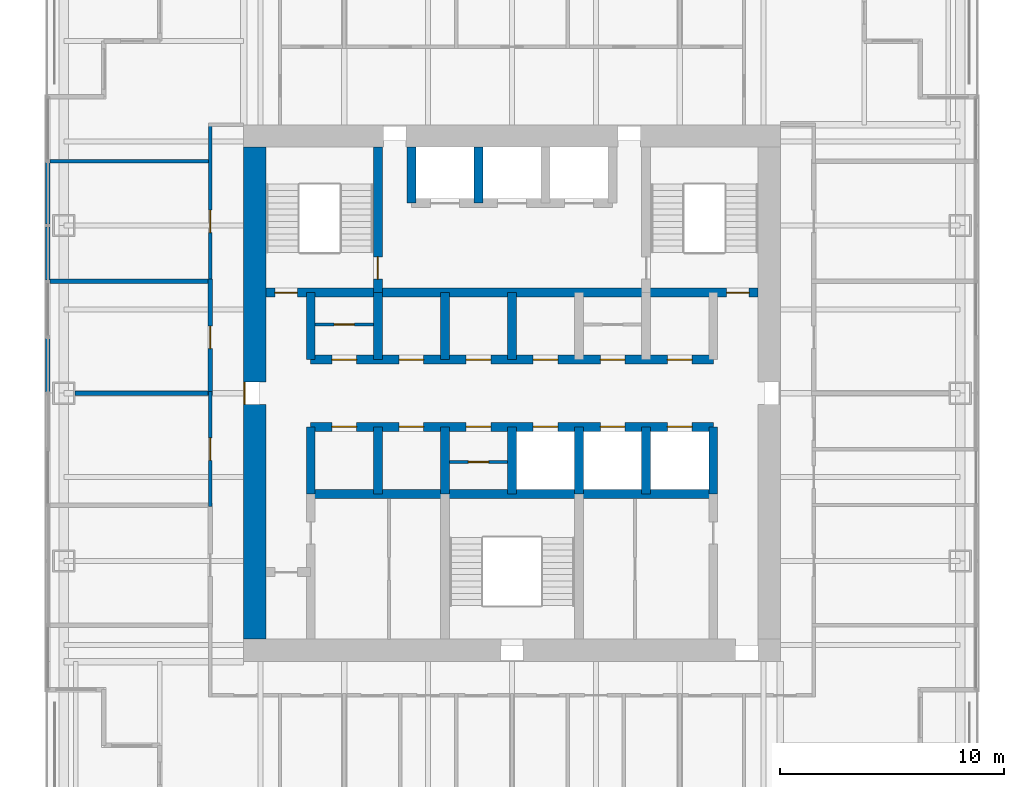
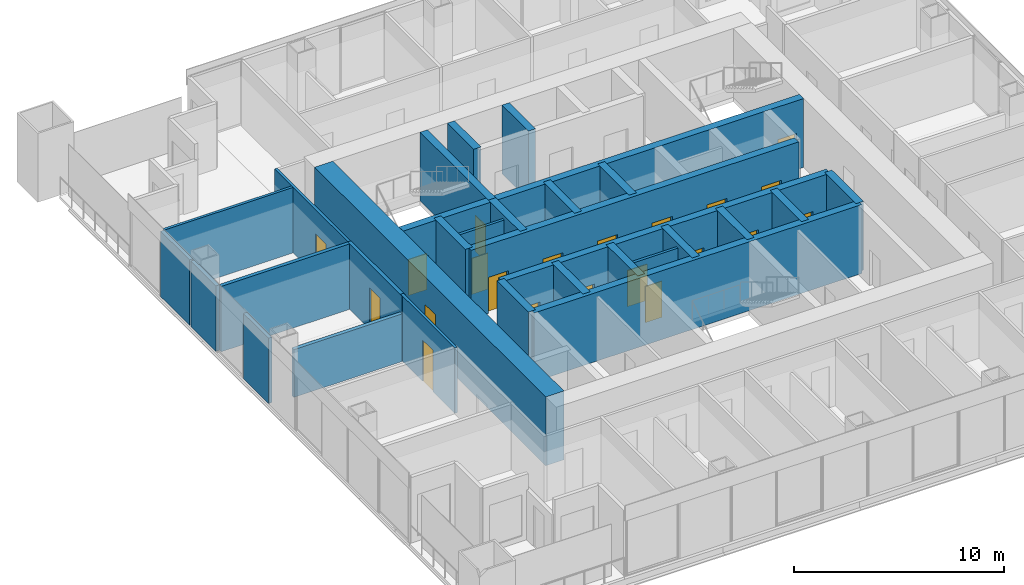
# One storey, part 10 of 15: 30 walls, 21 doors, 21 openings.
"""IFC4 building model written with IfcOpenShell, lengths in metres."""

import ifcopenshell
import ifcopenshell.guid

model = None  # the IFC model being written
_history = None  # IfcOwnerHistory: only IFC2X3 demands one
_inside = {}  # id of a spatial element -> (the spatial element, [elements in it])
_under = {}  # id of a project, library or spatial element -> (it, [spatial elements below it])
_declared = {}  # id of a project -> (the project, [libraries it declares])
_typed = {}  # id of a type object -> (the type object, [elements of that type])
_made_of = {}  # id of a material, layer set ... -> (it, [elements and type objects made of it])


def new_model(schema):
    """Start an empty IFC model of exactly this schema.

    Asked for "IFC4X3", IfcOpenShell would pick the latest addendum, in which some entities
    have other attributes; the version numbers below select the first issue.
    IFC2X3 requires an IfcOwnerHistory on every rooted entity: one is made here for all.
    """
    global model, _history
    if schema == "IFC4X3":
        model = ifcopenshell.file(schema_version=(4, 3, 0, 0))
    else:
        model = ifcopenshell.file(schema=schema)
    _inside.clear()
    _under.clear()
    _declared.clear()
    _typed.clear()
    _made_of.clear()
    _history = None
    if model.schema == "IFC2X3":
        org = make("IfcOrganization", Name="unknown")
        user = make(
            "IfcPersonAndOrganization",
            ThePerson=make("IfcPerson", FamilyName="unknown"),
            TheOrganization=org,
        )
        app = make(
            "IfcApplication",
            ApplicationDeveloper=org,
            Version="unknown",
            ApplicationFullName="unknown",
            ApplicationIdentifier="unknown",
        )
        _history = make(
            "IfcOwnerHistory",
            OwningUser=user,
            OwningApplication=app,
            ChangeAction="ADDED",
            CreationDate=0,
        )
    return model


def make(cls, **values):
    """One entity of the class cls with the attributes given. An attribute that is None is left unset."""
    return model.create_entity(
        cls, **{name: value for name, value in values.items() if value is not None}
    )


def rooted(cls, **values):
    """An entity with a GlobalId (a new one), such as an element, a storey or a relation."""
    return make(cls, GlobalId=ifcopenshell.guid.new(), OwnerHistory=_history, **values)


def si_unit(unit_type, name, prefix=None):
    """IfcSIUnit, for example si_unit("LENGTHUNIT", "METRE", prefix="MILLI")."""
    return make("IfcSIUnit", UnitType=unit_type, Prefix=prefix, Name=name)


def assignment(units):
    """IfcUnitAssignment: the units of a project."""
    return None if units is None else make("IfcUnitAssignment", Units=units)


def point(xyz):
    """IfcCartesianPoint."""
    return None if xyz is None else make("IfcCartesianPoint", Coordinates=xyz)


def direction(xyz):
    """IfcDirection."""
    return None if xyz is None else make("IfcDirection", DirectionRatios=xyz)


def frame(location, z_axis=None, x_axis=None):
    """IfcAxis2Placement3D, a coordinate frame: its origin and axes. An axis left out is left unset."""
    return make(
        "IfcAxis2Placement3D",
        Location=point(location),
        Axis=direction(z_axis),
        RefDirection=direction(x_axis),
    )


def frame_2d(location, x_axis=None):
    """IfcAxis2Placement2D, a coordinate frame in the plane: its origin and x axis."""
    return make(
        "IfcAxis2Placement2D", Location=point(location), RefDirection=direction(x_axis)
    )


def origin():
    """The frame at (0, 0, 0) with its axes left unset."""
    return frame((0.0, 0.0, 0.0))


def place(relative_to, where):
    """IfcLocalPlacement: puts the frame where relative to a parent placement (None: the world)."""
    return make(
        "IfcLocalPlacement", PlacementRelTo=relative_to, RelativePlacement=where
    )


def context(
    kind, dimensions, precision=None, world=None, true_north=None, identifier=None
):
    """IfcGeometricRepresentationContext, for example the 3D "Model" context."""
    return make(
        "IfcGeometricRepresentationContext",
        ContextIdentifier=identifier,
        ContextType=kind,
        CoordinateSpaceDimension=dimensions,
        Precision=precision,
        WorldCoordinateSystem=world,
        TrueNorth=true_north,
    )


def subcontext(parent, identifier, kind, view, scale=None):
    """IfcGeometricRepresentationSubContext, for example "Body" below "Model"."""
    return make(
        "IfcGeometricRepresentationSubContext",
        ContextIdentifier=identifier,
        ContextType=kind,
        ParentContext=parent,
        TargetScale=scale,
        TargetView=view,
    )


def project(units=None, contexts=None):
    """IfcProject with its units and contexts."""
    return rooted(
        "IfcProject",
        Name="project",
        RepresentationContexts=contexts,
        UnitsInContext=assignment(units),
    )


def spatial(cls, under=None, at=None, **own):
    """A site, building, storey or space (cls), placed at a placement, below another one or the project."""
    s = rooted(cls, ObjectPlacement=at, **own)
    if under is not None:
        _under.setdefault(under.id(), (under, []))[1].append(s)
    return s


def profile(cls, at=None, kind="AREA", **sizes):
    """A parametric profile (cls). Its sizes go by their IFC names, for example OverallWidth=200.0."""
    return make(cls, ProfileType=kind, Position=at, **sizes)


def rectangle(**sizes):
    """IfcRectangleProfileDef."""
    return profile("IfcRectangleProfileDef", **sizes)


def extrude(swept, where, along, depth):
    """IfcExtrudedAreaSolid: the profile swept, set in the frame where, extruded along a direction by depth."""
    return make(
        "IfcExtrudedAreaSolid",
        SweptArea=swept,
        Position=where,
        ExtrudedDirection=direction(along),
        Depth=depth,
    )


def shape(context_of_items, identifier, shape_type, items):
    """IfcShapeRepresentation: the items that make up one representation, for example the "Body"."""
    return make(
        "IfcShapeRepresentation",
        ContextOfItems=context_of_items,
        RepresentationIdentifier=identifier,
        RepresentationType=shape_type,
        Items=items,
    )


def material(Name=None, Category=None):
    """IfcMaterial."""
    return make("IfcMaterial", Name=Name, Category=Category)


def layer(
    of_material, thickness, ventilated=None, Name=None, Category=None, Priority=None
):
    """IfcMaterialLayer: one layer of a wall or slab, of a material (None: an air gap)."""
    return make(
        "IfcMaterialLayer",
        Material=of_material,
        LayerThickness=thickness,
        IsVentilated=ventilated,
        Name=Name,
        Category=Category,
        Priority=Priority,
    )


def layer_set(layers, Name=None):
    """IfcMaterialLayerSet."""
    return make("IfcMaterialLayerSet", MaterialLayers=layers, LayerSetName=Name)


def made_of(thing, what):
    """Note that an element or type object is made of a material, layer set ...; save() writes the relation."""
    if what is not None:
        _made_of.setdefault(what.id(), (what, []))[1].append(thing)
    return thing


def type_object(cls, material=None, **own):
    """A type object (cls), such as IfcWallType, which elements share."""
    return made_of(rooted(cls, **own), material)


def element(
    cls,
    number,
    at=None,
    inside=None,
    cuts=None,
    type_object=None,
    material=None,
    context=None,
    identifier="Body",
    shape_type=None,
    held_by="IfcProductDefinitionShape",
    body=None,
    shapes=None,
    **own,
):
    """One element of the class cls, such as IfcWall. Its Tag is "e" and its number.

    at: its placement. inside: the storey or other place that contains it. cuts: it is an
    opening in that element (IfcRelVoidsElement). A single representation is given by context,
    identifier, shape_type and body (its items); several are given by shapes. held_by: the class
    of the entity that holds the representations. save() writes the other relations.
    """
    e = rooted(cls, Tag="e%d" % number, ObjectPlacement=at, **own)
    if body is not None:
        shapes = [shape(context, identifier, shape_type, body)]
    if shapes is not None:
        e.Representation = make(held_by, Representations=shapes)
    if inside is not None:
        _inside.setdefault(inside.id(), (inside, []))[1].append(e)
    if cuts is not None:
        rooted(
            "IfcRelVoidsElement", RelatingBuildingElement=cuts, RelatedOpeningElement=e
        )
    if type_object is not None:
        _typed.setdefault(type_object.id(), (type_object, []))[1].append(e)
    return made_of(e, material)


def fill(opening, filler):
    """IfcRelFillsElement: the door or window that sits in an opening."""
    return rooted(
        "IfcRelFillsElement",
        RelatingOpeningElement=opening,
        RelatedBuildingElement=filler,
    )


def aggregate(whole, parts):
    """IfcRelAggregates: a whole, such as a stair, and the parts it consists of."""
    return rooted("IfcRelAggregates", RelatingObject=whole, RelatedObjects=parts)


def save(model, path):
    """Write the relations noted so far, then the file.

    IfcRelAggregates (storeys below a building ...), IfcRelContainedInSpatialStructure (elements
    in a storey), IfcRelDefinesByType, IfcRelAssociatesMaterial and IfcRelDeclares: one each for
    every whole, place, type object, material and project.
    """
    for whole, parts in _under.values():
        aggregate(whole, parts)
    for where, things in _inside.values():
        rooted(
            "IfcRelContainedInSpatialStructure",
            RelatedElements=things,
            RelatingStructure=where,
        )
    for kind, things in _typed.values():
        rooted("IfcRelDefinesByType", RelatedObjects=things, RelatingType=kind)
    for what, things in _made_of.values():
        rooted("IfcRelAssociatesMaterial", RelatedObjects=things, RelatingMaterial=what)
    for by, libraries in _declared.values():
        rooted("IfcRelDeclares", RelatingContext=by, RelatedDefinitions=libraries)
    model.write(path)


model = new_model("IFC4")

# Units and contexts
model_context = context("Model", 3, precision=1e-05, world=origin(), true_north=direction((0.0, 1.0)))
body_context = subcontext(model_context, "Body", "Model", "MODEL_VIEW")
ifc_project = project(units=[si_unit("LENGTHUNIT", "METRE"), si_unit("AREAUNIT", "SQUARE_METRE"), si_unit("VOLUMEUNIT", "CUBIC_METRE"), si_unit("PLANEANGLEUNIT", "RADIAN"), si_unit("MASSUNIT", "GRAM", prefix="KILO")], contexts=[model_context])

# Site, building, storey
site_placement = place(None, origin())
site = spatial("IfcSite", under=ifc_project, at=site_placement, CompositionType="ELEMENT")
building_placement = place(site_placement, origin())
building = spatial("IfcBuilding", under=site, at=building_placement, Name="Tarangal Relay Tower", CompositionType="ELEMENT")
storey_placement = place(building_placement, frame((0.0, 0.0, 331.89990234375)))
storey = spatial("IfcBuildingStorey", under=building, at=storey_placement, Name="L74", CompositionType="ELEMENT", Elevation=331.89990234375)

# Walls
ifc_material_1 = material(Name="Two layers gypsum board each side on twin steel studs, mineral wool", Category="steel")
ifc_layer_1 = layer(ifc_material_1, 0.199951171875)
ifc_layer_set_1 = layer_set([ifc_layer_1], Name="Acoustic partition 200")
wall_type_1 = type_object("IfcWallType", Name="Acoustic partition 200", PredefinedType="PARTITIONING", material=ifc_layer_set_1)
wall_1_placement = place(storey_placement, frame((-19.5400390625, 0.0, 0.0), z_axis=(0.0, 0.0, 1.0), x_axis=(1.0, 0.0, 0.0)))
element("IfcWall", 1, at=wall_1_placement, inside=storey, type_object=wall_type_1, Name="Partition PT2 L74", PredefinedType="PARTITIONING", context=body_context, shape_type="SweptSolid", body=[
    extrude(rectangle(XDim=6.14013671875, YDim=0.199951171875, at=frame_2d((3.070068359375, 0.0))), origin(), (0.0, 0.0, 1.0), 2.768798828125),
])
wall_2_placement = place(storey_placement, frame((-20.64990234375, 5.0, 0.0), z_axis=(0.0, 0.0, 1.0), x_axis=(1.0, 0.0, 0.0)))
element("IfcWall", 2, at=wall_2_placement, inside=storey, type_object=wall_type_1, Name="Partition PT2 L74", PredefinedType="PARTITIONING", context=body_context, shape_type="SweptSolid", body=[
    extrude(rectangle(XDim=7.25, YDim=0.199951171875, at=frame_2d((3.625, 0.0))), origin(), (0.0, 0.0, 1.0), 3.800048828125),
])

# Wall, opening, door
wall_3_placement = place(storey_placement, frame((-13.5, -0.10009765625, 0.0), z_axis=(0.0, 0.0, 1.0), x_axis=(0.0, 1.0, 0.0)))
wall_3 = element("IfcWall", 3, at=wall_3_placement, inside=storey, type_object=wall_type_1, Name="Partition PT2 L74", PredefinedType="PARTITIONING", context=body_context, shape_type="SweptSolid", body=[
    extrude(rectangle(XDim=5.2001953125, YDim=0.199951171875, at=frame_2d((2.60009765625, 0.0))), origin(), (0.0, 0.0, 1.0), 3.800048828125),
])
opening_1_placement = place(wall_3_placement, frame((2.10009765625, 0.0, 0.0)))
opening_1 = element("IfcOpeningElement", 4, at=opening_1_placement, cuts=wall_3, Name="Opening SD1", PredefinedType="OPENING", context=body_context, shape_type="SweptSolid", body=[
    extrude(rectangle(XDim=1.0, YDim=2.39990234375, at=frame_2d((0.5, 1.199951171875))), frame((0.0, 0.10986328125, 0.0), z_axis=(0.0, -1.0, 0.0), x_axis=(1.0, 0.0, 0.0)), (0.0, 0.0, 1.0), 0.219970703125),
])
ifc_material_2 = material(Name="Steel door with hardwood frame", Category="steel")
door_type_1 = type_object("IfcDoorType", Name="Suite entrance door 1000 x 2400", OperationType="SINGLE_SWING_RIGHT", PredefinedType="DOOR", material=ifc_material_2)
door_1_placement = place(opening_1_placement, origin())
door_1 = element("IfcDoor", 5, at=door_1_placement, inside=storey, type_object=door_type_1, Name="Door SD1 to wellness room L74-23", OperationType="SINGLE_SWING_RIGHT", OverallHeight=2.39990234375, OverallWidth=1.0, PredefinedType="DOOR", context=body_context, shape_type="SweptSolid", body=[
    extrude(rectangle(XDim=1.0, YDim=2.39990234375, at=frame_2d((0.5, 1.199951171875))), frame((0.0, 0.02490234375, 0.0), z_axis=(0.0, -1.0, 0.0), x_axis=(1.0, 0.0, 0.0)), (0.0, 0.0, 1.0), 0.050048828125),
])
fill(opening_1, door_1)

# Wall, openings, doors
ifc_material_3 = material(Name="Concrete fc' 60 MPa", Category="concrete")
ifc_layer_2 = layer(ifc_material_3, 0.39990234375)
ifc_layer_set_2 = layer_set([ifc_layer_2], Name="Core inner wall 400")
wall_type_2 = type_object("IfcWallType", Name="Core inner wall 400", PredefinedType="SHEAR", material=ifc_layer_set_2)
wall_4_placement = place(storey_placement, frame((-11.0, 4.5, 0.0), z_axis=(0.0, 0.0, 1.0), x_axis=(1.0, 0.0, 0.0)))
wall_4 = element("IfcWall", 6, at=wall_4_placement, inside=storey, type_object=wall_type_2, Name="Core wall Y45 L74", PredefinedType="SHEAR", context=body_context, shape_type="SweptSolid", body=[
    extrude(rectangle(XDim=22.0, YDim=0.39990234375, at=frame_2d((11.0, 0.0))), origin(), (0.0, 0.0, 1.0), 4.0),
])
opening_2_placement = place(wall_4_placement, frame((0.39990234375, 0.0, 0.0)))
opening_2 = element("IfcOpeningElement", 7, at=opening_2_placement, cuts=wall_4, Name="Opening FD1", PredefinedType="OPENING", context=body_context, shape_type="SweptSolid", body=[
    extrude(rectangle(XDim=1.0, YDim=2.10009765625, at=frame_2d((0.5, 1.050048828125))), frame((0.0, 0.2099609375, 0.0), z_axis=(0.0, -1.0, 0.0), x_axis=(1.0, 0.0, 0.0)), (0.0, 0.0, 1.0), 0.419921875),
])
opening_3_placement = place(wall_4_placement, frame((20.60009765625, 0.0, 0.0)))
opening_3 = element("IfcOpeningElement", 8, at=opening_3_placement, cuts=wall_4, Name="Opening FD1", PredefinedType="OPENING", context=body_context, shape_type="SweptSolid", body=[
    extrude(rectangle(XDim=1.0, YDim=2.10009765625, at=frame_2d((0.5, 1.050048828125))), frame((0.0, 0.2099609375, 0.0), z_axis=(0.0, -1.0, 0.0), x_axis=(1.0, 0.0, 0.0)), (0.0, 0.0, 1.0), 0.419921875),
])
door_type_2 = type_object("IfcDoorType", Name="Fire door 1000 x 2100", OperationType="SINGLE_SWING_LEFT", PredefinedType="DOOR", material=ifc_material_2)
door_2_placement = place(opening_2_placement, origin())
door_2 = element("IfcDoor", 9, at=door_2_placement, inside=storey, type_object=door_type_2, Name="Stair ST-A door from corridor L74", OperationType="SINGLE_SWING_LEFT", OverallHeight=2.10009765625, OverallWidth=1.0, PredefinedType="DOOR", context=body_context, shape_type="SweptSolid", body=[
    extrude(rectangle(XDim=1.0, YDim=2.10009765625, at=frame_2d((0.5, 1.050048828125))), frame((0.0, 0.02490234375, 0.0), z_axis=(0.0, -1.0, 0.0), x_axis=(1.0, 0.0, 0.0)), (0.0, 0.0, 1.0), 0.050048828125),
])
fill(opening_2, door_2)
door_3_placement = place(opening_3_placement, origin())
door_3 = element("IfcDoor", 10, at=door_3_placement, inside=storey, type_object=door_type_2, Name="Stair ST-B door from corridor L74", OperationType="SINGLE_SWING_LEFT", OverallHeight=2.10009765625, OverallWidth=1.0, PredefinedType="DOOR", context=body_context, shape_type="SweptSolid", body=[
    extrude(rectangle(XDim=1.0, YDim=2.10009765625, at=frame_2d((0.5, 1.050048828125))), frame((0.0, 0.02490234375, 0.0), z_axis=(0.0, -1.0, 0.0), x_axis=(1.0, 0.0, 0.0)), (0.0, 0.0, 1.0), 0.050048828125),
])
fill(opening_3, door_3)

wall_5_placement = place(storey_placement, frame((-9.0, 1.5, 0.0), z_axis=(0.0, 0.0, 1.0), x_axis=(1.0, 0.0, 0.0)))
wall_5 = element("IfcWall", 11, at=wall_5_placement, inside=storey, type_object=wall_type_2, Name="Core wall Y15 L74", PredefinedType="SHEAR", context=body_context, shape_type="SweptSolid", body=[
    extrude(rectangle(XDim=18.0, YDim=0.39990234375, at=frame_2d((9.0, 0.0))), origin(), (0.0, 0.0, 1.0), 4.0),
])
opening_4_placement = place(wall_5_placement, frame((0.949951171875, 0.0, 0.0)))
opening_4 = element("IfcOpeningElement", 12, at=opening_4_placement, cuts=wall_5, Name="Opening D4", PredefinedType="OPENING", context=body_context, shape_type="SweptSolid", body=[
    extrude(rectangle(XDim=1.10009765625, YDim=2.10009765625, at=frame_2d((0.550048828125, 1.050048828125))), frame((0.0, 0.2099609375, 0.0), z_axis=(0.0, -1.0, 0.0), x_axis=(1.0, 0.0, 0.0)), (0.0, 0.0, 1.0), 0.419921875),
])
opening_5_placement = place(wall_5_placement, frame((3.949951171875, 0.0, 0.0)))
opening_5 = element("IfcOpeningElement", 13, at=opening_5_placement, cuts=wall_5, Name="Opening D4", PredefinedType="OPENING", context=body_context, shape_type="SweptSolid", body=[
    extrude(rectangle(XDim=1.10009765625, YDim=2.10009765625, at=frame_2d((0.550048828125, 1.050048828125))), frame((0.0, 0.2099609375, 0.0), z_axis=(0.0, -1.0, 0.0), x_axis=(1.0, 0.0, 0.0)), (0.0, 0.0, 1.0), 0.419921875),
])
opening_6_placement = place(wall_5_placement, frame((6.949951171875, 0.0, 0.0)))
opening_6 = element("IfcOpeningElement", 14, at=opening_6_placement, cuts=wall_5, Name="Opening D4", PredefinedType="OPENING", context=body_context, shape_type="SweptSolid", body=[
    extrude(rectangle(XDim=1.10009765625, YDim=2.10009765625, at=frame_2d((0.550048828125, 1.050048828125))), frame((0.0, 0.2099609375, 0.0), z_axis=(0.0, -1.0, 0.0), x_axis=(1.0, 0.0, 0.0)), (0.0, 0.0, 1.0), 0.419921875),
])
opening_7_placement = place(wall_5_placement, frame((9.949951171875, 0.0, 0.0)))
opening_7 = element("IfcOpeningElement", 15, at=opening_7_placement, cuts=wall_5, Name="Opening D4", PredefinedType="OPENING", context=body_context, shape_type="SweptSolid", body=[
    extrude(rectangle(XDim=1.10009765625, YDim=2.10009765625, at=frame_2d((0.550048828125, 1.050048828125))), frame((0.0, 0.2099609375, 0.0), z_axis=(0.0, -1.0, 0.0), x_axis=(1.0, 0.0, 0.0)), (0.0, 0.0, 1.0), 0.419921875),
])
opening_8_placement = place(wall_5_placement, frame((12.949951171875, 0.0, 0.0)))
opening_8 = element("IfcOpeningElement", 16, at=opening_8_placement, cuts=wall_5, Name="Opening D4", PredefinedType="OPENING", context=body_context, shape_type="SweptSolid", body=[
    extrude(rectangle(XDim=1.10009765625, YDim=2.10009765625, at=frame_2d((0.550048828125, 1.050048828125))), frame((0.0, 0.2099609375, 0.0), z_axis=(0.0, -1.0, 0.0), x_axis=(1.0, 0.0, 0.0)), (0.0, 0.0, 1.0), 0.419921875),
])
opening_9_placement = place(wall_5_placement, frame((15.949951171875, 0.0, 0.0)))
opening_9 = element("IfcOpeningElement", 17, at=opening_9_placement, cuts=wall_5, Name="Opening D4", PredefinedType="OPENING", context=body_context, shape_type="SweptSolid", body=[
    extrude(rectangle(XDim=1.10009765625, YDim=2.10009765625, at=frame_2d((0.550048828125, 1.050048828125))), frame((0.0, 0.2099609375, 0.0), z_axis=(0.0, -1.0, 0.0), x_axis=(1.0, 0.0, 0.0)), (0.0, 0.0, 1.0), 0.419921875),
])
door_type_3 = type_object("IfcDoorType", Name="Core room door 1100 x 2100", OperationType="SINGLE_SWING_RIGHT", PredefinedType="DOOR", material=ifc_material_2)
door_4_placement = place(opening_4_placement, origin())
door_4 = element("IfcDoor", 18, at=door_4_placement, inside=storey, type_object=door_type_3, Name="Door D4 to staff pantry L74-D1", OperationType="SINGLE_SWING_RIGHT", OverallHeight=2.10009765625, OverallWidth=1.10009765625, PredefinedType="DOOR", context=body_context, shape_type="SweptSolid", body=[
    extrude(rectangle(XDim=1.10009765625, YDim=2.10009765625, at=frame_2d((0.550048828125, 1.050048828125))), frame((0.0, 0.02490234375, 0.0), z_axis=(0.0, -1.0, 0.0), x_axis=(1.0, 0.0, 0.0)), (0.0, 0.0, 1.0), 0.050048828125),
])
fill(opening_4, door_4)
door_5_placement = place(opening_5_placement, origin())
door_5 = element("IfcDoor", 19, at=door_5_placement, inside=storey, type_object=door_type_3, Name="Door D4 to it room L74-D2", OperationType="SINGLE_SWING_RIGHT", OverallHeight=2.10009765625, OverallWidth=1.10009765625, PredefinedType="DOOR", context=body_context, shape_type="SweptSolid", body=[
    extrude(rectangle(XDim=1.10009765625, YDim=2.10009765625, at=frame_2d((0.550048828125, 1.050048828125))), frame((0.0, 0.02490234375, 0.0), z_axis=(0.0, -1.0, 0.0), x_axis=(1.0, 0.0, 0.0)), (0.0, 0.0, 1.0), 0.050048828125),
])
fill(opening_5, door_5)
door_6_placement = place(opening_6_placement, origin())
door_6 = element("IfcDoor", 20, at=door_6_placement, inside=storey, type_object=door_type_3, Name="Door D4 to cleaner's store L74-D3", OperationType="SINGLE_SWING_RIGHT", OverallHeight=2.10009765625, OverallWidth=1.10009765625, PredefinedType="DOOR", context=body_context, shape_type="SweptSolid", body=[
    extrude(rectangle(XDim=1.10009765625, YDim=2.10009765625, at=frame_2d((0.550048828125, 1.050048828125))), frame((0.0, 0.02490234375, 0.0), z_axis=(0.0, -1.0, 0.0), x_axis=(1.0, 0.0, 0.0)), (0.0, 0.0, 1.0), 0.050048828125),
])
fill(opening_6, door_6)
door_7_placement = place(opening_7_placement, origin())
door_7 = element("IfcDoor", 21, at=door_7_placement, inside=storey, type_object=door_type_3, Name="Door D4 to staff wc L74-T1", OperationType="SINGLE_SWING_RIGHT", OverallHeight=2.10009765625, OverallWidth=1.10009765625, PredefinedType="DOOR", context=body_context, shape_type="SweptSolid", body=[
    extrude(rectangle(XDim=1.10009765625, YDim=2.10009765625, at=frame_2d((0.550048828125, 1.050048828125))), frame((0.0, 0.02490234375, 0.0), z_axis=(0.0, -1.0, 0.0), x_axis=(1.0, 0.0, 0.0)), (0.0, 0.0, 1.0), 0.050048828125),
])
fill(opening_7, door_7)
door_8_placement = place(opening_8_placement, origin())
door_8 = element("IfcDoor", 22, at=door_8_placement, inside=storey, type_object=door_type_3, Name="Door D4 to staff pantry L74-T2", OperationType="SINGLE_SWING_RIGHT", OverallHeight=2.10009765625, OverallWidth=1.10009765625, PredefinedType="DOOR", context=body_context, shape_type="SweptSolid", body=[
    extrude(rectangle(XDim=1.10009765625, YDim=2.10009765625, at=frame_2d((0.550048828125, 1.050048828125))), frame((0.0, 0.02490234375, 0.0), z_axis=(0.0, -1.0, 0.0), x_axis=(1.0, 0.0, 0.0)), (0.0, 0.0, 1.0), 0.050048828125),
])
fill(opening_8, door_8)
door_9_placement = place(opening_9_placement, origin())
door_9 = element("IfcDoor", 23, at=door_9_placement, inside=storey, type_object=door_type_3, Name="Door D4 to it room L74-T3", OperationType="SINGLE_SWING_RIGHT", OverallHeight=2.10009765625, OverallWidth=1.10009765625, PredefinedType="DOOR", context=body_context, shape_type="SweptSolid", body=[
    extrude(rectangle(XDim=1.10009765625, YDim=2.10009765625, at=frame_2d((0.550048828125, 1.050048828125))), frame((0.0, 0.02490234375, 0.0), z_axis=(0.0, -1.0, 0.0), x_axis=(1.0, 0.0, 0.0)), (0.0, 0.0, 1.0), 0.050048828125),
])
fill(opening_9, door_9)

wall_6_placement = place(storey_placement, frame((-9.0, -1.5, 0.0), z_axis=(0.0, 0.0, 1.0), x_axis=(1.0, 0.0, 0.0)))
wall_6 = element("IfcWall", 24, at=wall_6_placement, inside=storey, type_object=wall_type_2, Name="Core wall YM15 L74", PredefinedType="SHEAR", context=body_context, shape_type="SweptSolid", body=[
    extrude(rectangle(XDim=18.0, YDim=0.39990234375, at=frame_2d((9.0, 0.0))), origin(), (0.0, 0.0, 1.0), 4.0),
])
opening_10_placement = place(wall_6_placement, frame((9.949951171875, 0.0, 0.0)))
opening_10 = element("IfcOpeningElement", 25, at=opening_10_placement, cuts=wall_6, Name="Opening LD1", PredefinedType="OPENING", context=body_context, shape_type="SweptSolid", body=[
    extrude(rectangle(XDim=1.10009765625, YDim=2.10009765625, at=frame_2d((0.550048828125, 1.050048828125))), frame((0.0, 0.2099609375, 0.0), z_axis=(0.0, -1.0, 0.0), x_axis=(1.0, 0.0, 0.0)), (0.0, 0.0, 1.0), 0.419921875),
])
opening_11_placement = place(wall_6_placement, frame((12.949951171875, 0.0, 0.0)))
opening_11 = element("IfcOpeningElement", 26, at=opening_11_placement, cuts=wall_6, Name="Opening LD1", PredefinedType="OPENING", context=body_context, shape_type="SweptSolid", body=[
    extrude(rectangle(XDim=1.10009765625, YDim=2.10009765625, at=frame_2d((0.550048828125, 1.050048828125))), frame((0.0, 0.2099609375, 0.0), z_axis=(0.0, -1.0, 0.0), x_axis=(1.0, 0.0, 0.0)), (0.0, 0.0, 1.0), 0.419921875),
])
opening_12_placement = place(wall_6_placement, frame((15.949951171875, 0.0, 0.0)))
opening_12 = element("IfcOpeningElement", 27, at=opening_12_placement, cuts=wall_6, Name="Opening LD1", PredefinedType="OPENING", context=body_context, shape_type="SweptSolid", body=[
    extrude(rectangle(XDim=1.10009765625, YDim=2.10009765625, at=frame_2d((0.550048828125, 1.050048828125))), frame((0.0, 0.2099609375, 0.0), z_axis=(0.0, -1.0, 0.0), x_axis=(1.0, 0.0, 0.0)), (0.0, 0.0, 1.0), 0.419921875),
])
opening_13_placement = place(wall_6_placement, frame((0.949951171875, 0.0, 0.0)))
opening_13 = element("IfcOpeningElement", 28, at=opening_13_placement, cuts=wall_6, Name="Opening D4", PredefinedType="OPENING", context=body_context, shape_type="SweptSolid", body=[
    extrude(rectangle(XDim=1.10009765625, YDim=2.10009765625, at=frame_2d((0.550048828125, 1.050048828125))), frame((0.0, 0.2099609375, 0.0), z_axis=(0.0, -1.0, 0.0), x_axis=(1.0, 0.0, 0.0)), (0.0, 0.0, 1.0), 0.419921875),
])
opening_14_placement = place(wall_6_placement, frame((3.949951171875, 0.0, 0.0)))
opening_14 = element("IfcOpeningElement", 29, at=opening_14_placement, cuts=wall_6, Name="Opening D4", PredefinedType="OPENING", context=body_context, shape_type="SweptSolid", body=[
    extrude(rectangle(XDim=1.10009765625, YDim=2.10009765625, at=frame_2d((0.550048828125, 1.050048828125))), frame((0.0, 0.2099609375, 0.0), z_axis=(0.0, -1.0, 0.0), x_axis=(1.0, 0.0, 0.0)), (0.0, 0.0, 1.0), 0.419921875),
])
opening_15_placement = place(wall_6_placement, frame((6.949951171875, 0.0, 0.0)))
opening_15 = element("IfcOpeningElement", 30, at=opening_15_placement, cuts=wall_6, Name="Opening D4", PredefinedType="OPENING", context=body_context, shape_type="SweptSolid", body=[
    extrude(rectangle(XDim=1.10009765625, YDim=2.10009765625, at=frame_2d((0.550048828125, 1.050048828125))), frame((0.0, 0.2099609375, 0.0), z_axis=(0.0, -1.0, 0.0), x_axis=(1.0, 0.0, 0.0)), (0.0, 0.0, 1.0), 0.419921875),
])
door_10_placement = place(opening_13_placement, origin())
door_10 = element("IfcDoor", 31, at=door_10_placement, inside=storey, type_object=door_type_3, Name="Door D4 to cleaner's store L74-S1", OperationType="SINGLE_SWING_RIGHT", OverallHeight=2.10009765625, OverallWidth=1.10009765625, PredefinedType="DOOR", context=body_context, shape_type="SweptSolid", body=[
    extrude(rectangle(XDim=1.10009765625, YDim=2.10009765625, at=frame_2d((0.550048828125, 1.050048828125))), frame((0.0, 0.02490234375, 0.0), z_axis=(0.0, -1.0, 0.0), x_axis=(1.0, 0.0, 0.0)), (0.0, 0.0, 1.0), 0.050048828125),
])
fill(opening_13, door_10)
door_11_placement = place(opening_14_placement, origin())
door_11 = element("IfcDoor", 32, at=door_11_placement, inside=storey, type_object=door_type_3, Name="Door D4 to staff wc L74-S2", OperationType="SINGLE_SWING_RIGHT", OverallHeight=2.10009765625, OverallWidth=1.10009765625, PredefinedType="DOOR", context=body_context, shape_type="SweptSolid", body=[
    extrude(rectangle(XDim=1.10009765625, YDim=2.10009765625, at=frame_2d((0.550048828125, 1.050048828125))), frame((0.0, 0.02490234375, 0.0), z_axis=(0.0, -1.0, 0.0), x_axis=(1.0, 0.0, 0.0)), (0.0, 0.0, 1.0), 0.050048828125),
])
fill(opening_14, door_11)
door_12_placement = place(opening_15_placement, origin())
door_12 = element("IfcDoor", 33, at=door_12_placement, inside=storey, type_object=door_type_3, Name="Door D4 to staff pantry L74-S3", OperationType="SINGLE_SWING_RIGHT", OverallHeight=2.10009765625, OverallWidth=1.10009765625, PredefinedType="DOOR", context=body_context, shape_type="SweptSolid", body=[
    extrude(rectangle(XDim=1.10009765625, YDim=2.10009765625, at=frame_2d((0.550048828125, 1.050048828125))), frame((0.0, 0.02490234375, 0.0), z_axis=(0.0, -1.0, 0.0), x_axis=(1.0, 0.0, 0.0)), (0.0, 0.0, 1.0), 0.050048828125),
])
fill(opening_15, door_12)
door_type_4 = type_object("IfcDoorType", Name="Lift landing door 1100 x 2100", OperationType="SLIDING_TO_LEFT", PredefinedType="DOOR", material=ifc_material_2)
door_13_placement = place(opening_10_placement, origin())
door_13 = element("IfcDoor", 34, at=door_13_placement, inside=storey, type_object=door_type_4, Name="Lift OH1 landing door L74", OperationType="SLIDING_TO_LEFT", OverallHeight=2.10009765625, OverallWidth=1.10009765625, PredefinedType="DOOR", context=body_context, shape_type="SweptSolid", body=[
    extrude(rectangle(XDim=1.10009765625, YDim=2.10009765625, at=frame_2d((0.550048828125, 1.050048828125))), frame((0.0, 0.02490234375, 0.0), z_axis=(0.0, -1.0, 0.0), x_axis=(1.0, 0.0, 0.0)), (0.0, 0.0, 1.0), 0.050048828125),
])
fill(opening_10, door_13)
door_14_placement = place(opening_11_placement, origin())
door_14 = element("IfcDoor", 35, at=door_14_placement, inside=storey, type_object=door_type_4, Name="Lift OH2 landing door L74", OperationType="SLIDING_TO_LEFT", OverallHeight=2.10009765625, OverallWidth=1.10009765625, PredefinedType="DOOR", context=body_context, shape_type="SweptSolid", body=[
    extrude(rectangle(XDim=1.10009765625, YDim=2.10009765625, at=frame_2d((0.550048828125, 1.050048828125))), frame((0.0, 0.02490234375, 0.0), z_axis=(0.0, -1.0, 0.0), x_axis=(1.0, 0.0, 0.0)), (0.0, 0.0, 1.0), 0.050048828125),
])
fill(opening_11, door_14)
door_15_placement = place(opening_12_placement, origin())
door_15 = element("IfcDoor", 36, at=door_15_placement, inside=storey, type_object=door_type_4, Name="Lift OH3 landing door L74", OperationType="SLIDING_TO_LEFT", OverallHeight=2.10009765625, OverallWidth=1.10009765625, PredefinedType="DOOR", context=body_context, shape_type="SweptSolid", body=[
    extrude(rectangle(XDim=1.10009765625, YDim=2.10009765625, at=frame_2d((0.550048828125, 1.050048828125))), frame((0.0, 0.02490234375, 0.0), z_axis=(0.0, -1.0, 0.0), x_axis=(1.0, 0.0, 0.0)), (0.0, 0.0, 1.0), 0.050048828125),
])
fill(opening_12, door_15)

# Walls
wall_7_placement = place(storey_placement, frame((-9.0, -4.5, 0.0), z_axis=(0.0, 0.0, 1.0), x_axis=(1.0, 0.0, 0.0)))
element("IfcWall", 37, at=wall_7_placement, inside=storey, type_object=wall_type_2, Name="Core wall YM45 L74", PredefinedType="SHEAR", context=body_context, shape_type="SweptSolid", body=[
    extrude(rectangle(XDim=18.0, YDim=0.39990234375, at=frame_2d((9.0, 0.0))), origin(), (0.0, 0.0, 1.0), 4.0),
])
for number, where, z_axis, x_axis, name in (
    (38, (-9.0, 1.5, 0.0), (0.0, 0.0, 1.0), (0.0, 1.0, 0.0), "Core wall XM9N L74"),
    (39, (-9.0, -4.5, 0.0), (0.0, 0.0, 1.0), (0.0, 1.0, 0.0), "Core wall XM9S L74"),
    (40, (9.0, -4.5, 0.0), (0.0, 0.0, 1.0), (0.0, 1.0, 0.0), "Core wall X9S L74"),
    (41, (-6.0, 1.5, 0.0), (0.0, 0.0, 1.0), (0.0, 1.0, 0.0), "Core wall XM6N L74"),
    (42, (-3.0, 1.5, 0.0), (0.0, 0.0, 1.0), (0.0, 1.0, 0.0), "Core wall XM3N L74"),
    (43, (0.0, 1.5, 0.0), (0.0, 0.0, 1.0), (0.0, 1.0, 0.0), "Core wall X0N L74"),
    (44, (-6.0, -4.5, 0.0), (0.0, 0.0, 1.0), (0.0, 1.0, 0.0), "Core wall XM6S L74"),
    (45, (-3.0, -4.5, 0.0), (0.0, 0.0, 1.0), (0.0, 1.0, 0.0), "Core wall XM3S L74"),
    (46, (0.0, -4.5, 0.0), (0.0, 0.0, 1.0), (0.0, 1.0, 0.0), "Core wall X0S L74"),
    (47, (3.0, -4.5, 0.0), (0.0, 0.0, 1.0), (0.0, 1.0, 0.0), "Core wall X3S L74"),
    (48, (6.0, -4.5, 0.0), (0.0, 0.0, 1.0), (0.0, 1.0, 0.0), "Core wall X6S L74"),
):
    element("IfcWall", number, at=place(storey_placement, frame(where, z_axis=z_axis, x_axis=x_axis)), inside=storey, type_object=wall_type_2, Name=name, PredefinedType="SHEAR", context=body_context, shape_type="SweptSolid", body=[
        extrude(rectangle(XDim=3.0, YDim=0.39990234375, at=frame_2d((1.5, 0.0))), origin(), (0.0, 0.0, 1.0), 4.0),
    ])

# Wall, opening, door
wall_8_placement = place(storey_placement, frame((-6.0, 4.5, 0.0), z_axis=(0.0, 0.0, 1.0), x_axis=(0.0, 1.0, 0.0)))
wall_8 = element("IfcWall", 49, at=wall_8_placement, inside=storey, type_object=wall_type_2, Name="Core wall XM6 L74", PredefinedType="SHEAR", context=body_context, shape_type="SweptSolid", body=[
    extrude(rectangle(XDim=6.5, YDim=0.39990234375, at=frame_2d((3.25, 0.0))), origin(), (0.0, 0.0, 1.0), 4.0),
])
opening_16_placement = place(wall_8_placement, frame((0.60009765625, 0.0, 0.0)))
opening_16 = element("IfcOpeningElement", 50, at=opening_16_placement, cuts=wall_8, Name="Opening FD1", PredefinedType="OPENING", context=body_context, shape_type="SweptSolid", body=[
    extrude(rectangle(XDim=1.0, YDim=2.10009765625, at=frame_2d((0.5, 1.050048828125))), frame((0.0, 0.2099609375, 0.0), z_axis=(0.0, -1.0, 0.0), x_axis=(1.0, 0.0, 0.0)), (0.0, 0.0, 1.0), 0.419921875),
])
door_16_placement = place(opening_16_placement, origin())
door_16 = element("IfcDoor", 51, at=door_16_placement, inside=storey, type_object=door_type_2, Name="Stair ST-A door from fire-fighting lobby L74", OperationType="SINGLE_SWING_LEFT", OverallHeight=2.10009765625, OverallWidth=1.0, PredefinedType="DOOR", context=body_context, shape_type="SweptSolid", body=[
    extrude(rectangle(XDim=1.0, YDim=2.10009765625, at=frame_2d((0.5, 1.050048828125))), frame((0.0, 0.02490234375, 0.0), z_axis=(0.0, -1.0, 0.0), x_axis=(1.0, 0.0, 0.0)), (0.0, 0.0, 1.0), 0.050048828125),
])
fill(opening_16, door_16)

# Walls
for number, where, z_axis, x_axis, name in (
    (52, (-4.5, 8.5, 0.0), (0.0, 0.0, 1.0), (0.0, 1.0, 0.0), "Core wall XM45 L74"),
    (53, (-1.5, 8.5, 0.0), (0.0, 0.0, 1.0), (0.0, 1.0, 0.0), "Core wall XM15 L74"),
):
    element("IfcWall", number, at=place(storey_placement, frame(where, z_axis=z_axis, x_axis=x_axis)), inside=storey, type_object=wall_type_2, Name=name, PredefinedType="SHEAR", context=body_context, shape_type="SweptSolid", body=[
        extrude(rectangle(XDim=2.5, YDim=0.39990234375, at=frame_2d((1.25, 0.0))), origin(), (0.0, 0.0, 1.0), 4.0),
    ])

# Wall, opening, door
ifc_layer_3 = layer(ifc_material_3, 1.0)
ifc_layer_set_3 = layer_set([ifc_layer_3], Name="Core wall 1000")
wall_type_3 = type_object("IfcWallType", Name="Core wall 1000", PredefinedType="SHEAR", material=ifc_layer_set_3)
wall_9_placement = place(storey_placement, frame((-11.5, -11.0, 0.0), z_axis=(0.0, 0.0, 1.0), x_axis=(0.0, 1.0, 0.0)))
wall_9 = element("IfcWall", 54, at=wall_9_placement, inside=storey, type_object=wall_type_3, Name="Core wall W L74", PredefinedType="SHEAR", context=body_context, shape_type="SweptSolid", body=[
    extrude(rectangle(XDim=22.0, YDim=1.0, at=frame_2d((11.0, 0.0))), origin(), (0.0, 0.0, 1.0), 4.0),
])
opening_17_placement = place(wall_9_placement, frame((10.5, 0.0, 0.0)))
opening_17 = element("IfcOpeningElement", 55, at=opening_17_placement, cuts=wall_9, Name="Opening FD3", PredefinedType="OPENING", context=body_context, shape_type="SweptSolid", body=[
    extrude(rectangle(XDim=1.0, YDim=2.39990234375, at=frame_2d((0.5, 1.199951171875))), frame((0.0, 0.510009765625, 0.0), z_axis=(0.0, -1.0, 0.0), x_axis=(1.0, 0.0, 0.0)), (0.0, 0.0, 1.0), 1.02001953125),
])
door_type_5 = type_object("IfcDoorType", Name="Fire door 1000 x 2400 core entry", OperationType="SINGLE_SWING_RIGHT", PredefinedType="DOOR", material=ifc_material_2)
door_17_placement = place(opening_17_placement, origin())
door_17 = element("IfcDoor", 56, at=door_17_placement, inside=storey, type_object=door_type_5, Name="Core entry door west L74", OperationType="SINGLE_SWING_RIGHT", OverallHeight=2.39990234375, OverallWidth=1.0, PredefinedType="DOOR", context=body_context, shape_type="SweptSolid", body=[
    extrude(rectangle(XDim=1.0, YDim=2.39990234375, at=frame_2d((0.5, 1.199951171875))), frame((0.0, 0.48486328125, 0.0), z_axis=(0.0, -1.0, 0.0), x_axis=(1.0, 0.0, 0.0)), (0.0, 0.0, 1.0), 0.050048828125),
])
fill(opening_17, door_17)

# Walls
ifc_material_4 = material(Name="Black metal clad insulated wall", Category="steel")
ifc_layer_4 = layer(ifc_material_4, 0.199951171875)
ifc_layer_set_4 = layer_set([ifc_layer_4], Name="Facade infill wall metal clad 200")
wall_type_4 = type_object("IfcWallType", Name="Facade infill wall metal clad 200", PredefinedType="SOLIDWALL", material=ifc_layer_set_4)
for number, where, z_axis, x_axis, name in (
    (57, (-20.75, 0.06005859375, 0.0), (0.0, 0.0, 1.0), (0.0, 1.0, 0.0), "Facade infill wall W facade L74 1.1"),
    (58, (-20.75, 5.06005859375, 0.0), (0.0, 0.0, 1.0), (0.0, 1.0, 0.0), "Facade infill wall W facade L74 1.1"),
):
    element("IfcWall", number, at=place(storey_placement, frame(where, z_axis=z_axis, x_axis=x_axis)), inside=storey, type_object=wall_type_4, Name=name, PredefinedType="SOLIDWALL", context=body_context, shape_type="SweptSolid", body=[
        extrude(rectangle(XDim=2.3798828125, YDim=0.199951171875, at=frame_2d((1.18994140625, 0.0))), origin(), (0.0, 0.0, 1.0), 3.800048828125),
    ])
wall_10_placement = place(storey_placement, frame((-20.75, 7.56005859375, 0.0), z_axis=(0.0, 0.0, 1.0), x_axis=(0.0, 1.0, 0.0)))
element("IfcWall", 59, at=wall_10_placement, inside=storey, type_object=wall_type_4, Name="Facade infill wall W facade L74 1.1", PredefinedType="SOLIDWALL", context=body_context, shape_type="SweptSolid", body=[
    extrude(rectangle(XDim=2.7548828125, YDim=0.199951171875, at=frame_2d((1.37744140625, 0.0))), origin(), (0.0, 0.0, 1.0), 3.800048828125),
])
ifc_material_5 = material(Name="Gypsum board on steel studs", Category="steel")
ifc_layer_5 = layer(ifc_material_5, 0.14990234375)
ifc_layer_set_5 = layer_set([ifc_layer_5], Name="Partition 150")
wall_type_5 = type_object("IfcWallType", Name="Partition 150", PredefinedType="PARTITIONING", material=ifc_layer_set_5)
wall_11_placement = place(storey_placement, frame((-20.64990234375, 10.375, 0.0), z_axis=(0.0, 0.0, 1.0), x_axis=(1.0, 0.0, 0.0)))
element("IfcWall", 60, at=wall_11_placement, inside=storey, type_object=wall_type_5, Name="Partition PT1 L74", PredefinedType="PARTITIONING", context=body_context, shape_type="SweptSolid", body=[
    extrude(rectangle(XDim=7.224853515625, YDim=0.14990234375, at=frame_2d((3.6123046875, 0.0))), origin(), (0.0, 0.0, 1.0), 3.800048828125),
])

# Wall, opening, door
wall_12_placement = place(storey_placement, frame((-13.5, -5.074951171875, 0.0), z_axis=(0.0, 0.0, 1.0), x_axis=(0.0, 1.0, 0.0)))
wall_12 = element("IfcWall", 61, at=wall_12_placement, inside=storey, type_object=wall_type_5, Name="Partition PT1 L74", PredefinedType="PARTITIONING", context=body_context, shape_type="SweptSolid", body=[
    extrude(rectangle(XDim=5.14990234375, YDim=0.14990234375, at=frame_2d((2.574951171875, 0.0))), origin(), (0.0, 0.0, 1.0), 3.800048828125),
])
opening_18_placement = place(wall_12_placement, frame((2.074951171875, 0.0, 0.0)))
opening_18 = element("IfcOpeningElement", 62, at=opening_18_placement, cuts=wall_12, Name="Opening SD1", PredefinedType="OPENING", context=body_context, shape_type="SweptSolid", body=[
    extrude(rectangle(XDim=1.0, YDim=2.39990234375, at=frame_2d((0.5, 1.199951171875))), frame((0.0, 0.0849609375, 0.0), z_axis=(0.0, -1.0, 0.0), x_axis=(1.0, 0.0, 0.0)), (0.0, 0.0, 1.0), 0.169921875),
])
door_18_placement = place(opening_18_placement, origin())
door_18 = element("IfcDoor", 63, at=door_18_placement, inside=storey, type_object=door_type_1, Name="Door SD1 to project room L74-22", OperationType="SINGLE_SWING_RIGHT", OverallHeight=2.39990234375, OverallWidth=1.0, PredefinedType="DOOR", context=body_context, shape_type="SweptSolid", body=[
    extrude(rectangle(XDim=1.0, YDim=2.39990234375, at=frame_2d((0.5, 1.199951171875))), frame((0.0, 0.02490234375, 0.0), z_axis=(0.0, -1.0, 0.0), x_axis=(1.0, 0.0, 0.0)), (0.0, 0.0, 1.0), 0.050048828125),
])
fill(opening_18, door_18)

wall_13_placement = place(storey_placement, frame((-13.5, 4.925048828125, 0.0), z_axis=(0.0, 0.0, 1.0), x_axis=(0.0, 1.0, 0.0)))
wall_13 = element("IfcWall", 64, at=wall_13_placement, inside=storey, type_object=wall_type_5, Name="Partition PT1 L74", PredefinedType="PARTITIONING", context=body_context, shape_type="SweptSolid", body=[
    extrude(rectangle(XDim=7.14990234375, YDim=0.14990234375, at=frame_2d((3.574951171875, 0.0))), origin(), (0.0, 0.0, 1.0), 3.800048828125),
])
opening_19_placement = place(wall_13_placement, frame((2.262451171875, 0.0, 0.0)))
opening_19 = element("IfcOpeningElement", 65, at=opening_19_placement, cuts=wall_13, Name="Opening SD1", PredefinedType="OPENING", context=body_context, shape_type="SweptSolid", body=[
    extrude(rectangle(XDim=1.0, YDim=2.39990234375, at=frame_2d((0.5, 1.199951171875))), frame((0.0, 0.0849609375, 0.0), z_axis=(0.0, -1.0, 0.0), x_axis=(1.0, 0.0, 0.0)), (0.0, 0.0, 1.0), 0.169921875),
])
door_19_placement = place(opening_19_placement, origin())
door_19 = element("IfcDoor", 66, at=door_19_placement, inside=storey, type_object=door_type_1, Name="Door SD1 to executive office L74-24", OperationType="SINGLE_SWING_RIGHT", OverallHeight=2.39990234375, OverallWidth=1.0, PredefinedType="DOOR", context=body_context, shape_type="SweptSolid", body=[
    extrude(rectangle(XDim=1.0, YDim=2.39990234375, at=frame_2d((0.5, 1.199951171875))), frame((0.0, 0.02490234375, 0.0), z_axis=(0.0, -1.0, 0.0), x_axis=(1.0, 0.0, 0.0)), (0.0, 0.0, 1.0), 0.050048828125),
])
fill(opening_19, door_19)

wall_14_placement = place(storey_placement, frame((-8.800048828125, 3.074951171875, 0.0), z_axis=(0.0, 0.0, 1.0), x_axis=(1.0, 0.0, 0.0)))
wall_14 = element("IfcWall", 67, at=wall_14_placement, inside=storey, type_object=wall_type_5, Name="Partition PT1 L74", PredefinedType="PARTITIONING", context=body_context, shape_type="SweptSolid", body=[
    extrude(rectangle(XDim=2.60009765625, YDim=0.14990234375, at=frame_2d((1.300048828125, 0.0))), origin(), (0.0, 0.0, 1.0), 3.75),
])
opening_20_placement = place(wall_14_placement, frame((0.85009765625, 0.0, 0.0)))
opening_20 = element("IfcOpeningElement", 68, at=opening_20_placement, cuts=wall_14, Name="Opening D5", PredefinedType="OPENING", context=body_context, shape_type="SweptSolid", body=[
    extrude(rectangle(XDim=0.89990234375, YDim=2.10009765625, at=frame_2d((0.449951171875, 1.050048828125))), frame((0.0, 0.0849609375, 0.0), z_axis=(0.0, -1.0, 0.0), x_axis=(1.0, 0.0, 0.0)), (0.0, 0.0, 1.0), 0.169921875),
])
ifc_material_6 = material(Name="Hardwood door", Category="wood")
door_type_6 = type_object("IfcDoorType", Name="Cupboard door 900 x 2100", OperationType="SINGLE_SWING_LEFT", PredefinedType="DOOR", material=ifc_material_6)
door_20_placement = place(opening_20_placement, origin())
door_20 = element("IfcDoor", 69, at=door_20_placement, inside=storey, type_object=door_type_6, Name="Door D5 to pantry cupboard L74-D1B", OperationType="SINGLE_SWING_LEFT", OverallHeight=2.10009765625, OverallWidth=0.89990234375, PredefinedType="DOOR", context=body_context, shape_type="SweptSolid", body=[
    extrude(rectangle(XDim=0.89990234375, YDim=2.10009765625, at=frame_2d((0.449951171875, 1.050048828125))), frame((0.0, 0.02490234375, 0.0), z_axis=(0.0, -1.0, 0.0), x_axis=(1.0, 0.0, 0.0)), (0.0, 0.0, 1.0), 0.050048828125),
])
fill(opening_20, door_20)

wall_15_placement = place(storey_placement, frame((-2.800048828125, -3.074951171875, 0.0), z_axis=(0.0, 0.0, 1.0), x_axis=(1.0, 0.0, 0.0)))
wall_15 = element("IfcWall", 70, at=wall_15_placement, inside=storey, type_object=wall_type_5, Name="Partition PT1 L74", PredefinedType="PARTITIONING", context=body_context, shape_type="SweptSolid", body=[
    extrude(rectangle(XDim=2.60009765625, YDim=0.14990234375, at=frame_2d((1.300048828125, 0.0))), origin(), (0.0, 0.0, 1.0), 3.75),
])
opening_21_placement = place(wall_15_placement, frame((0.85009765625, 0.0, 0.0)))
opening_21 = element("IfcOpeningElement", 71, at=opening_21_placement, cuts=wall_15, Name="Opening D5", PredefinedType="OPENING", context=body_context, shape_type="SweptSolid", body=[
    extrude(rectangle(XDim=0.89990234375, YDim=2.10009765625, at=frame_2d((0.449951171875, 1.050048828125))), frame((0.0, 0.0849609375, 0.0), z_axis=(0.0, -1.0, 0.0), x_axis=(1.0, 0.0, 0.0)), (0.0, 0.0, 1.0), 0.169921875),
])
door_21_placement = place(opening_21_placement, origin())
door_21 = element("IfcDoor", 72, at=door_21_placement, inside=storey, type_object=door_type_6, Name="Door D5 to pantry cupboard L74-S3B", OperationType="SINGLE_SWING_LEFT", OverallHeight=2.10009765625, OverallWidth=0.89990234375, PredefinedType="DOOR", context=body_context, shape_type="SweptSolid", body=[
    extrude(rectangle(XDim=0.89990234375, YDim=2.10009765625, at=frame_2d((0.449951171875, 1.050048828125))), frame((0.0, 0.02490234375, 0.0), z_axis=(0.0, -1.0, 0.0), x_axis=(1.0, 0.0, 0.0)), (0.0, 0.0, 1.0), 0.050048828125),
])
fill(opening_21, door_21)

save(model, "model.ifc")
